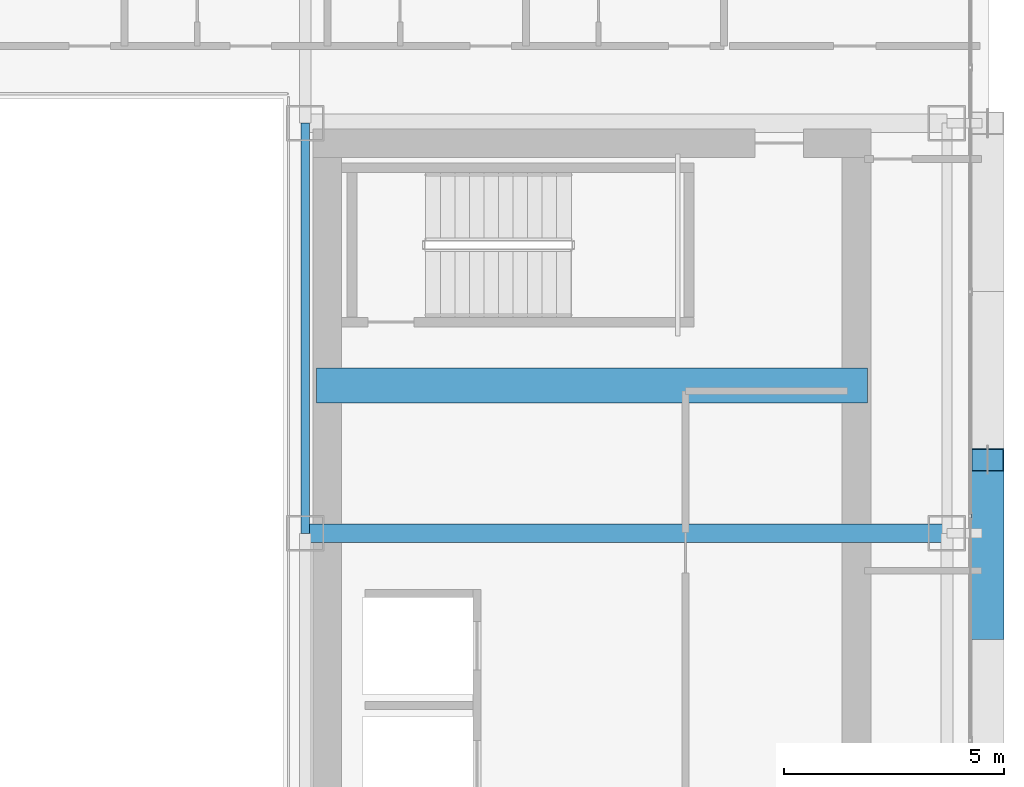
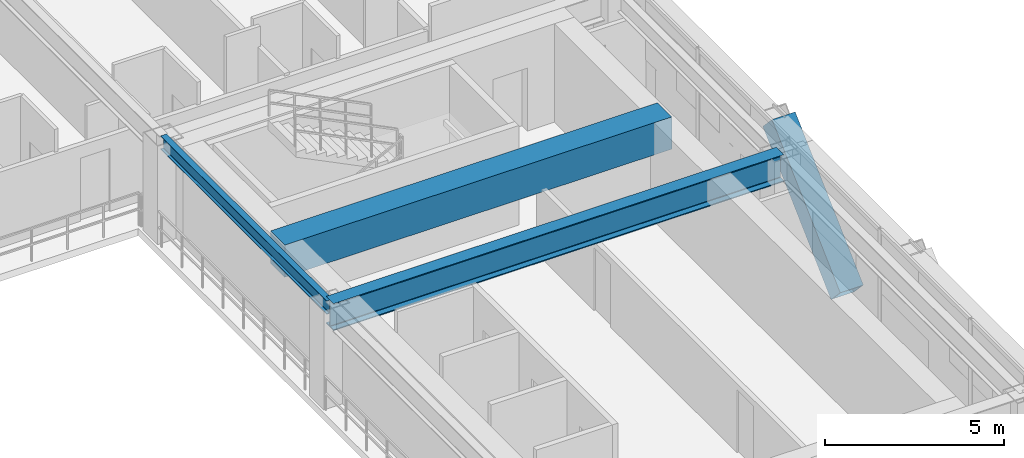
# One storey, part 14 of 36: 3 beams, 1 member.
"""IFC4 building model written with IfcOpenShell, lengths in metres."""

from ifc_helpers import new_model, si_unit, direction, frame, origin, origin_2d, place, context, subcontext, project, spatial, rectangle, hollow_rectangle, i_section, extrude, source, transform, mapped, material, material_profile, profile_set, type_object, element, save


model = new_model("IFC4")

# Units and contexts
model_context = context("Model", 3, precision=1e-05, world=origin(), true_north=direction((0.0, 1.0)))
body_context = subcontext(model_context, "Body", "Model", "MODEL_VIEW")
ifc_project = project(units=[si_unit("LENGTHUNIT", "METRE"), si_unit("AREAUNIT", "SQUARE_METRE"), si_unit("VOLUMEUNIT", "CUBIC_METRE"), si_unit("PLANEANGLEUNIT", "RADIAN"), si_unit("MASSUNIT", "GRAM", prefix="KILO")], contexts=[model_context])

# Site, building, storey
site_placement = place(None, origin())
site = spatial("IfcSite", under=ifc_project, at=site_placement, CompositionType="ELEMENT")
building_placement = place(site_placement, origin())
building = spatial("IfcBuilding", under=site, at=building_placement, Name="Ocotamira Hotel", CompositionType="ELEMENT")
storey_placement = place(building_placement, frame((0.0, 0.0, 129.60009765625)))
storey = spatial("IfcBuildingStorey", under=building, at=storey_placement, Name="L32", CompositionType="ELEMENT", Elevation=129.60009765625)

# Beams
ifc_material_1 = material(Name="Concrete C60/75", Category="concrete")
ifc_material_profile_1 = material_profile(ifc_material_1, rectangle(XDim=0.800048828125, YDim=1.10009765625, at=origin_2d()), Name="RC800X1100")
ifc_profile_set_1 = profile_set([ifc_material_profile_1], Name="Concrete C60/75")
beam_type_1 = type_object("IfcBeamType", Name="BM-LINK-RC800", PredefinedType="LINTEL", material=ifc_profile_set_1)
shared_shape_1 = source(origin(), body_context, "Body", "SweptSolid", [
    extrude(rectangle(XDim=0.800048828125, YDim=1.10009765625, at=origin_2d()), origin(), (0.0, 0.0, 1.0), 12.5),
])
beam_1_placement = place(storey_placement, frame((40.75, 31.5, 2.809814453125), z_axis=(1.0, 0.0, 0.0), x_axis=(0.0, 1.0, 0.0)))
element("IfcBeam", 1, at=beam_1_placement, inside=storey, type_object=beam_type_1, Name="L32 East Core Coupling Beam", PredefinedType="LINTEL", context=body_context, shape_type="MappedRepresentation", body=[
    mapped(shared_shape_1, transform((0.0, 0.0, 0.0), scale=1.0)),
])
ifc_material_2 = material(Name="Steel ASTM A992 Grade 50", Category="steel")
ifc_material_profile_2 = material_profile(ifc_material_2, i_section(OverallWidth=0.41796875, OverallDepth=0.927001953125, WebThickness=0.019287109375, FlangeThickness=0.031982421875, FilletRadius=0.02392578125, at=origin_2d()), Name="W36X231")
ifc_profile_set_2 = profile_set([ifc_material_profile_2], Name="Steel ASTM A992 Grade 50")
beam_type_2 = type_object("IfcBeamType", Name="BM-GIRD-W36X231", PredefinedType="BEAM", material=ifc_profile_set_2)
shared_shape_2 = source(origin(), body_context, "Body", "SweptSolid", [
    extrude(i_section(OverallWidth=0.41796875, OverallDepth=0.927001953125, WebThickness=0.019287109375, FlangeThickness=0.031982421875, FilletRadius=0.02392578125, at=origin_2d()), origin(), (0.0, 0.0, 1.0), 14.550048828125),
])
beam_2_placement = place(storey_placement, frame((40.5, 28.14990234375, 2.896484375), z_axis=(1.0, 0.0, 0.0), x_axis=(0.0, 1.0, 0.0)))
element("IfcBeam", 2, at=beam_2_placement, inside=storey, type_object=beam_type_2, Name="L32 Girder Y28.15 X40.5-55.05", PredefinedType="BEAM", context=body_context, shape_type="MappedRepresentation", body=[
    mapped(shared_shape_2, transform((0.0, 0.0, 0.0), scale=1.0)),
])
ifc_material_profile_3 = material_profile(ifc_material_2, i_section(OverallWidth=0.18994140625, OverallDepth=0.45703125, WebThickness=0.009033203125, FlangeThickness=0.014404296875, FilletRadius=0.010009765625, at=origin_2d()), Name="W18X50")
ifc_profile_set_3 = profile_set([ifc_material_profile_3], Name="Steel ASTM A992 Grade 50")
beam_type_3 = type_object("IfcBeamType", Name="BM-SEC-W18X50", PredefinedType="JOIST", material=ifc_profile_set_3)
shared_shape_3 = source(origin(), body_context, "Body", "SweptSolid", [
    extrude(i_section(OverallWidth=0.18994140625, OverallDepth=0.45703125, WebThickness=0.009033203125, FlangeThickness=0.014404296875, FilletRadius=0.010009765625, at=origin_2d()), origin(), (0.0, 0.0, 1.0), 9.300048828125),
])
beam_3_placement = place(storey_placement, frame((40.5, 28.14990234375, 3.13134765625), z_axis=(0.0, 1.0, 0.0), x_axis=(-1.0, 0.0, 0.0)))
element("IfcBeam", 3, at=beam_3_placement, inside=storey, type_object=beam_type_3, Name="L32 Beam X40.5 Y28.15-37.45", PredefinedType="JOIST", context=body_context, shape_type="MappedRepresentation", body=[
    mapped(shared_shape_3, transform((0.0, 0.0, 0.0), scale=1.0)),
])

# Member
ifc_material_3 = material(Name="Pale-metal coated steel ASTM A913 Grade 65", Category="steel")
ifc_material_profile_4 = material_profile(ifc_material_3, hollow_rectangle(XDim=0.75, YDim=0.75, WallThickness=0.028076171875, at=origin_2d()), Name="BOX750X750X28")
ifc_profile_set_4 = profile_set([ifc_material_profile_4], Name="Pale-metal coated steel ASTM A913 Grade 65")
member_type = type_object("IfcMemberType", Name="MEM-EXO-BOX750", PredefinedType="BRACE", material=ifc_profile_set_4)
shared_shape_4 = source(origin(), body_context, "Body", "SweptSolid", [
    extrude(hollow_rectangle(XDim=0.75, YDim=0.75, WallThickness=0.028076171875, at=origin_2d()), origin(), (0.0, 0.0, 1.0), 5.24658203125),
])
member_placement = place(storey_placement, frame((55.969970703125, 26.0, -0.489990234375), z_axis=(0.0, 0.72746596067, 0.686143772154), x_axis=(-1.0, 0.0, 0.0)))
element("IfcMember", 4, at=member_placement, inside=storey, type_object=member_type, Name="L32 Exoskeleton Diagrid E1.2", PredefinedType="BRACE", context=body_context, shape_type="MappedRepresentation", body=[
    mapped(shared_shape_4, transform((0.0, 0.0, 0.0), scale=1.0)),
])

save(model, "model.ifc")
